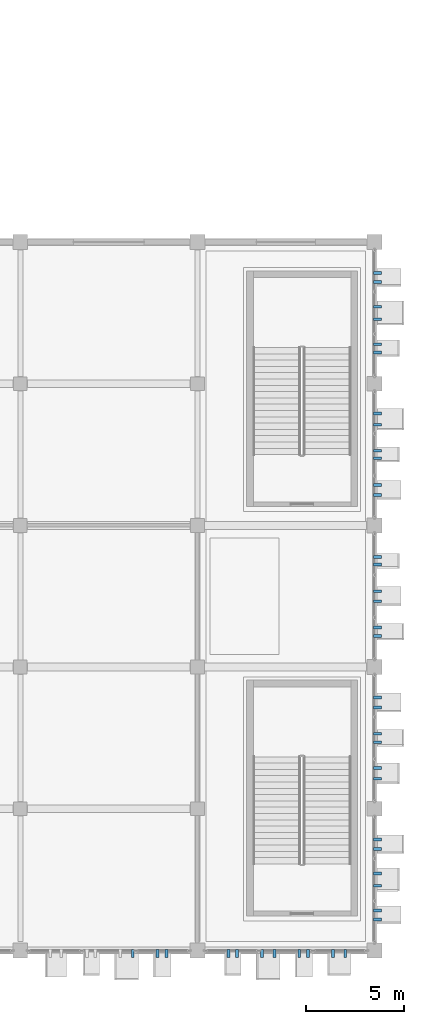
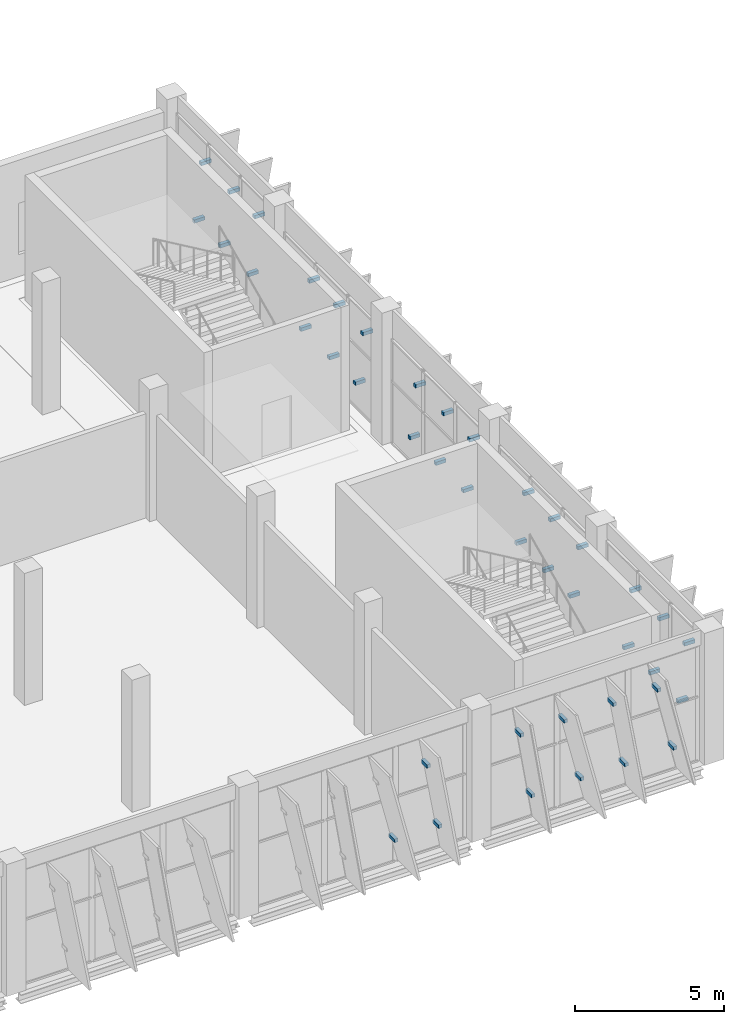
# One storey, part 152 of 189: 41 discrete accessories.
"""IFC4 building model written with IfcOpenShell, lengths in metres."""

from ifc_helpers import new_model, si_unit, direction, frame, origin, origin_2d, place, context, subcontext, project, spatial, rectangle, extrude, material, type_object, element, save


model = new_model("IFC4")

# Units and contexts
model_context = context("Model", 3, precision=1e-05, world=origin(), true_north=direction((0.0, 1.0)))
body_context = subcontext(model_context, "Body", "Model", "MODEL_VIEW")
ifc_project = project(units=[si_unit("LENGTHUNIT", "METRE"), si_unit("AREAUNIT", "SQUARE_METRE"), si_unit("VOLUMEUNIT", "CUBIC_METRE"), si_unit("PLANEANGLEUNIT", "RADIAN"), si_unit("MASSUNIT", "GRAM", prefix="KILO")], contexts=[model_context])

# Site, building, storey
site_placement = place(None, origin())
site = spatial("IfcSite", under=ifc_project, at=site_placement, CompositionType="ELEMENT")
building_placement = place(site_placement, origin())
building = spatial("IfcBuilding", under=site, at=building_placement, Name="Celestram Park Convention Centre", CompositionType="ELEMENT")
storey_placement = place(building_placement, frame((0.0, 0.0, 5.39990234375)))
storey = spatial("IfcBuildingStorey", under=building, at=storey_placement, Name="L01", CompositionType="ELEMENT", Elevation=5.39990234375)

# Discrete accessories
ifc_material = material(Name="Steel ASTM A500 Grade C", Category="steel")
discrete_accessory_type = type_object("IfcDiscreteAccessoryType", Name="ARC-BRK-OUT400", PredefinedType="BRACKET", material=ifc_material)
for number, where, z_axis, x_axis, name in (
    (1, (216.14990234375, 34.426513671875, 1.00048828125), (0.0, 0.0, 1.0), (1.0, 0.0, 0.0), "Solar fin outrigger bracket BK-L01-0609"),
    (2, (216.14990234375, 33.973388671875, 3.6240234375), (0.0, 0.0, 1.0), (1.0, 0.0, 0.0), "Solar fin outrigger bracket BK-L01-0610"),
    (3, (216.14990234375, 32.717529296875, 1.01953125), (0.0, 0.0, 1.0), (1.0, 0.0, 0.0), "Solar fin outrigger bracket BK-L01-0611"),
    (4, (216.14990234375, 32.08251953125, 3.60498046875), (0.0, 0.0, 1.0), (1.0, 0.0, 0.0), "Solar fin outrigger bracket BK-L01-0612"),
    (5, (216.14990234375, 30.812744140625, 0.998046875), (0.0, 0.0, 1.0), (1.0, 0.0, 0.0), "Solar fin outrigger bracket BK-L01-0613"),
    (6, (216.14990234375, 30.38720703125, 3.6259765625), (0.0, 0.0, 1.0), (1.0, 0.0, 0.0), "Solar fin outrigger bracket BK-L01-0614"),
    (7, (216.14990234375, 27.2841796875, 0.9052734375), (0.0, 0.0, 1.0), (1.0, 0.0, 0.0), "Solar fin outrigger bracket BK-L01-0615"),
    (8, (216.14990234375, 26.7158203125, 3.21875), (0.0, 0.0, 1.0), (1.0, 0.0, 0.0), "Solar fin outrigger bracket BK-L01-0616"),
    (9, (216.14990234375, 25.390380859375, 0.88623046875), (0.0, 0.0, 1.0), (1.0, 0.0, 0.0), "Solar fin outrigger bracket BK-L01-0617"),
    (10, (216.14990234375, 25.009521484375, 3.23779296875), (0.0, 0.0, 1.0), (1.0, 0.0, 0.0), "Solar fin outrigger bracket BK-L01-0618"),
    (11, (216.14990234375, 23.649658203125, 0.8974609375), (0.0, 0.0, 1.0), (1.0, 0.0, 0.0), "Solar fin outrigger bracket BK-L01-0619"),
    (12, (216.14990234375, 23.150390625, 3.2265625), (0.0, 0.0, 1.0), (1.0, 0.0, 0.0), "Solar fin outrigger bracket BK-L01-0620"),
    (13, (216.14990234375, 19.990478515625, 0.88623046875), (0.0, 0.0, 1.0), (1.0, 0.0, 0.0), "Solar fin outrigger bracket BK-L01-0621"),
    (14, (216.14990234375, 19.609619140625, 3.23779296875), (0.0, 0.0, 1.0), (1.0, 0.0, 0.0), "Solar fin outrigger bracket BK-L01-0622"),
    (15, (216.14990234375, 18.249755859375, 0.8974609375), (0.0, 0.0, 1.0), (1.0, 0.0, 0.0), "Solar fin outrigger bracket BK-L01-0623"),
    (16, (216.14990234375, 17.750244140625, 3.2265625), (0.0, 0.0, 1.0), (1.0, 0.0, 0.0), "Solar fin outrigger bracket BK-L01-0624"),
    (17, (216.14990234375, 16.4150390625, 0.890625), (0.0, 0.0, 1.0), (1.0, 0.0, 0.0), "Solar fin outrigger bracket BK-L01-0625"),
    (18, (216.14990234375, 15.985107421875, 3.23388671875), (0.0, 0.0, 1.0), (1.0, 0.0, 0.0), "Solar fin outrigger bracket BK-L01-0626"),
    (19, (216.14990234375, 12.849609375, 0.8974609375), (0.0, 0.0, 1.0), (1.0, 0.0, 0.0), "Solar fin outrigger bracket BK-L01-0627"),
    (20, (216.14990234375, 12.350341796875, 3.2265625), (0.0, 0.0, 1.0), (1.0, 0.0, 0.0), "Solar fin outrigger bracket BK-L01-0628"),
    (21, (216.14990234375, 11.014892578125, 0.890625), (0.0, 0.0, 1.0), (1.0, 0.0, 0.0), "Solar fin outrigger bracket BK-L01-0629"),
    (22, (216.14990234375, 10.5849609375, 3.23388671875), (0.0, 0.0, 1.0), (1.0, 0.0, 0.0), "Solar fin outrigger bracket BK-L01-0630"),
    (23, (216.14990234375, 9.27587890625, 0.9033203125), (0.0, 0.0, 1.0), (1.0, 0.0, 0.0), "Solar fin outrigger bracket BK-L01-0631"),
    (24, (216.14990234375, 8.72412109375, 3.220703125), (0.0, 0.0, 1.0), (1.0, 0.0, 0.0), "Solar fin outrigger bracket BK-L01-0632"),
    (25, (216.14990234375, 5.640380859375, 1.0029296875), (0.0, 0.0, 1.0), (1.0, 0.0, 0.0), "Solar fin outrigger bracket BK-L01-0633"),
    (26, (216.14990234375, 5.15966796875, 3.62158203125), (0.0, 0.0, 1.0), (1.0, 0.0, 0.0), "Solar fin outrigger bracket BK-L01-0634"),
    (27, (216.14990234375, 3.908447265625, 1.01708984375), (0.0, 0.0, 1.0), (1.0, 0.0, 0.0), "Solar fin outrigger bracket BK-L01-0635"),
    (28, (216.14990234375, 3.29150390625, 3.60693359375), (0.0, 0.0, 1.0), (1.0, 0.0, 0.0), "Solar fin outrigger bracket BK-L01-0636"),
    (29, (216.14990234375, 2.026611328125, 1.00048828125), (0.0, 0.0, 1.0), (1.0, 0.0, 0.0), "Solar fin outrigger bracket BK-L01-0637"),
    (30, (216.14990234375, 1.573486328125, 3.6240234375), (0.0, 0.0, 1.0), (1.0, 0.0, 0.0), "Solar fin outrigger bracket BK-L01-0638"),
    (31, (214.508544921875, -0.14990234375, 1.01708984375), (0.0, 0.0, 1.0), (0.0, -1.0, 0.0), "Solar fin outrigger bracket BK-L01-0639"),
    (32, (213.8916015625, -0.14990234375, 3.60693359375), (0.0, 0.0, 1.0), (0.0, -1.0, 0.0), "Solar fin outrigger bracket BK-L01-0640"),
    (33, (212.626708984375, -0.14990234375, 1.00048828125), (0.0, 0.0, 1.0), (0.0, -1.0, 0.0), "Solar fin outrigger bracket BK-L01-0641"),
    (34, (212.17333984375, -0.14990234375, 3.6240234375), (0.0, 0.0, 1.0), (0.0, -1.0, 0.0), "Solar fin outrigger bracket BK-L01-0642"),
    (35, (210.91748046875, -0.14990234375, 1.01953125), (0.0, 0.0, 1.0), (0.0, -1.0, 0.0), "Solar fin outrigger bracket BK-L01-0643"),
    (36, (210.282470703125, -0.14990234375, 3.60498046875), (0.0, 0.0, 1.0), (0.0, -1.0, 0.0), "Solar fin outrigger bracket BK-L01-0644"),
    (37, (209.0126953125, -0.14990234375, 0.998046875), (0.0, 0.0, 1.0), (0.0, -1.0, 0.0), "Solar fin outrigger bracket BK-L01-0645"),
    (38, (208.587158203125, -0.14990234375, 3.6259765625), (0.0, 0.0, 1.0), (0.0, -1.0, 0.0), "Solar fin outrigger bracket BK-L01-0646"),
    (39, (205.426513671875, -0.14990234375, 1.00048828125), (0.0, 0.0, 1.0), (0.0, -1.0, 0.0), "Solar fin outrigger bracket BK-L01-0647"),
    (40, (204.973388671875, -0.14990234375, 3.6240234375), (0.0, 0.0, 1.0), (0.0, -1.0, 0.0), "Solar fin outrigger bracket BK-L01-0648"),
    (41, (203.717529296875, -0.14990234375, 1.01953125), (0.0, 0.0, 1.0), (0.0, -1.0, 0.0), "Solar fin outrigger bracket BK-L01-0649"),
):
    element("IfcDiscreteAccessory", number, at=place(storey_placement, frame(where, z_axis=z_axis, x_axis=x_axis)), inside=storey, type_object=discrete_accessory_type, Name=name, PredefinedType="BRACKET", context=body_context, shape_type="SweptSolid", body=[
        extrude(rectangle(XDim=0.39990234375, YDim=0.139892578125, at=origin_2d()), origin(), (0.0, 0.0, 1.0), 0.139892578125),
    ])

save(model, "model.ifc")
